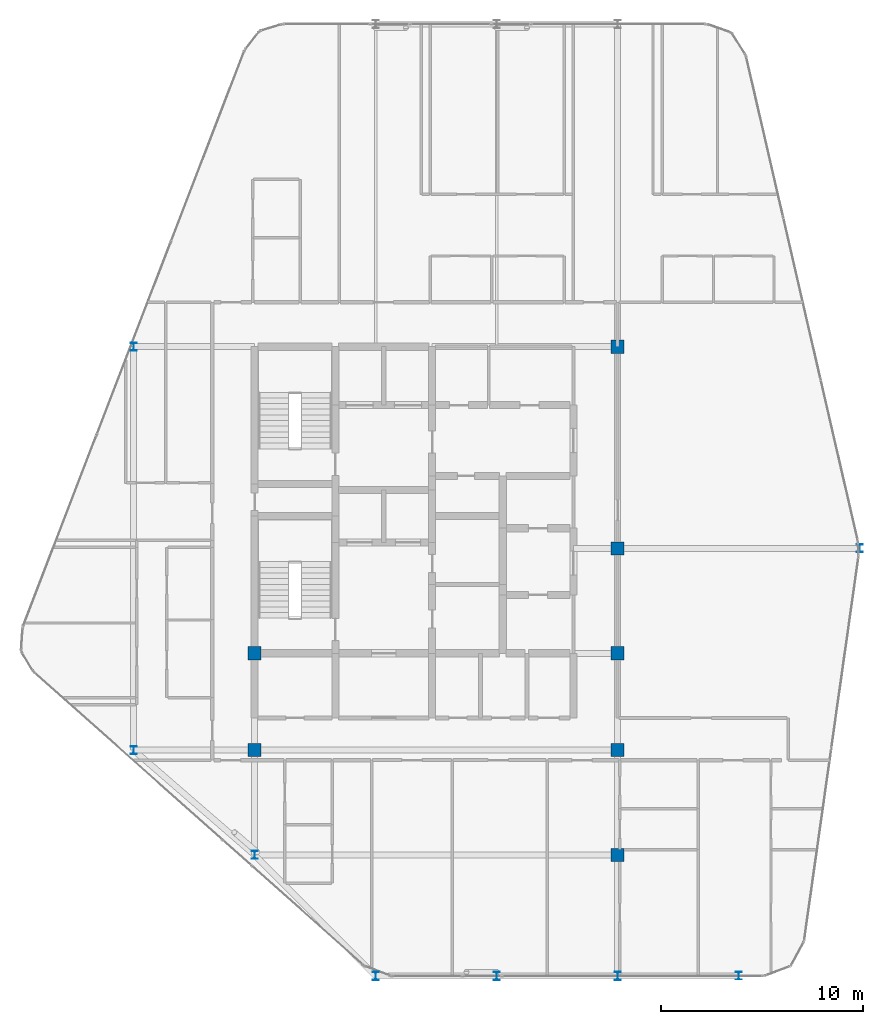
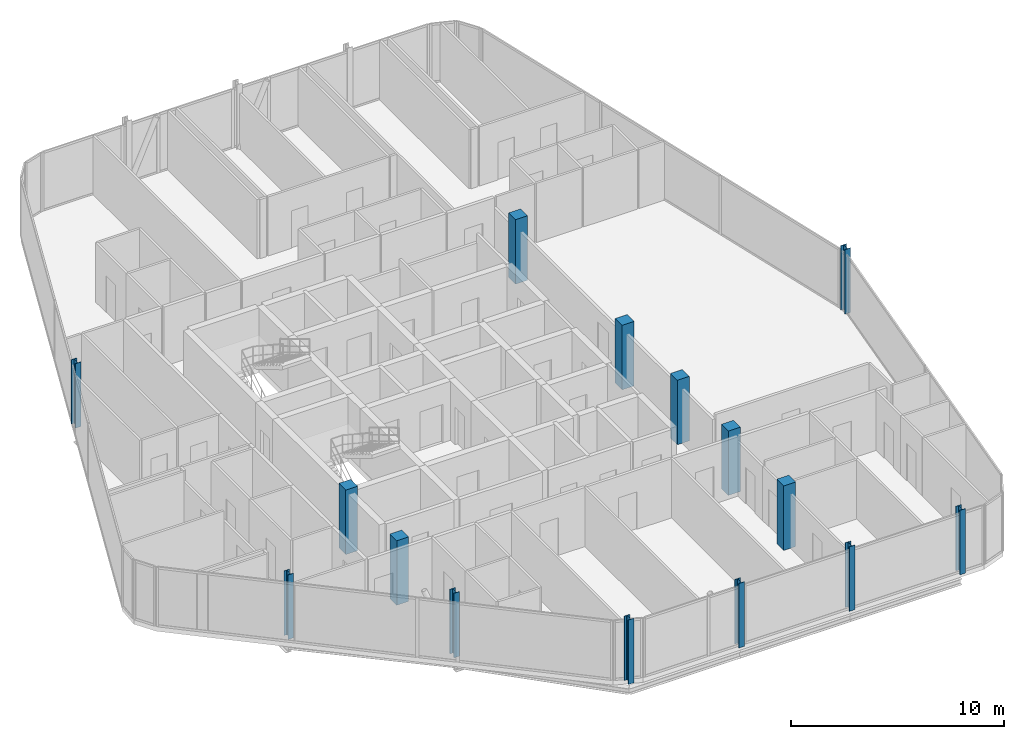
# One storey, part 1 of 27: 15 columns.
"""IFC4 building model written with IfcOpenShell, lengths in metres."""

from ifc_helpers import new_model, si_unit, direction, frame, origin, origin_2d, place, context, subcontext, project, spatial, rectangle, i_section, extrude, material, material_profile, profile_set, type_object, element, save


model = new_model("IFC4")

# Units and contexts
model_context = context("Model", 3, precision=1e-05, world=origin(), true_north=direction((0.0, 1.0)))
body_context = subcontext(model_context, "Body", "Model", "MODEL_VIEW")
ifc_project = project(units=[si_unit("LENGTHUNIT", "METRE"), si_unit("AREAUNIT", "SQUARE_METRE"), si_unit("VOLUMEUNIT", "CUBIC_METRE"), si_unit("PLANEANGLEUNIT", "RADIAN"), si_unit("MASSUNIT", "GRAM", prefix="KILO")], contexts=[model_context])

# Site, building, storey
site_placement = place(None, origin())
site = spatial("IfcSite", under=ifc_project, at=site_placement, CompositionType="ELEMENT")
building_placement = place(site_placement, origin())
building = spatial("IfcBuilding", under=site, at=building_placement, Name="Keshet Zoharim Tower", CompositionType="ELEMENT")
storey_placement = place(building_placement, frame((0.0, 0.0, 284.300048828125)))
storey = spatial("IfcBuildingStorey", under=building, at=storey_placement, Name="L71", CompositionType="ELEMENT", Elevation=284.300048828125)

# Columns
ifc_material_1 = material(Name="Steel S355", Category="steel")
ifc_material_profile_1 = material_profile(ifc_material_1, i_section(OverallWidth=0.300048828125, OverallDepth=0.39990234375, WebThickness=0.013427734375, FlangeThickness=0.02392578125, FilletRadius=0.027099609375, at=origin_2d()), Name="HEB400")
ifc_profile_set_1 = profile_set([ifc_material_profile_1], Name="Steel S355")
column_type_1 = type_object("IfcColumnType", Name="COL-HEB400", PredefinedType="COLUMN", material=ifc_profile_set_1)
for number, where, z_axis, x_axis, name in (
    (1, (9.0, 17.89990234375, 0.0), (0.0, 0.0, 1.0), (1.0, 0.0, 0.0), "L71 Column 2D"),
    (2, (9.0, 37.89990234375, 0.0), (0.0, 0.0, 1.0), (1.0, 0.0, 0.0), "L71 Column 2H"),
    (3, (15.0, 12.699951171875, 0.0), (0.0, 0.0, 1.0), (1.0, 0.0, 0.0), "L71 Column 3C"),
    (4, (21.0, 6.699951171875, 0.0), (0.0, 0.0, 1.0), (1.0, 0.0, 0.0), "L71 Column 4B"),
    (5, (27.0, 6.699951171875, 0.0), (0.0, 0.0, 1.0), (1.0, 0.0, 0.0), "L71 Column 5B"),
    (6, (33.0, 6.699951171875, 0.0), (0.0, 0.0, 1.0), (1.0, 0.0, 0.0), "L71 Column 6B"),
    (7, (39.0, 6.699951171875, 0.0), (0.0, 0.0, 1.0), (1.0, 0.0, 0.0), "L71 Column 7B"),
    (8, (45.0, 27.89990234375, 0.0), (0.0, 0.0, 1.0), (1.0, 0.0, 0.0), "L71 Column 8F"),
):
    element("IfcColumn", number, at=place(storey_placement, frame(where, z_axis=z_axis, x_axis=x_axis)), inside=storey, type_object=column_type_1, Name=name, PredefinedType="COLUMN", context=body_context, shape_type="SweptSolid", body=[
        extrude(i_section(OverallWidth=0.300048828125, OverallDepth=0.39990234375, WebThickness=0.013427734375, FlangeThickness=0.02392578125, FilletRadius=0.027099609375, at=origin_2d()), origin(), (0.0, 0.0, 1.0), 3.699951171875),
    ])
ifc_material_2 = material(Name="Concrete C50/60", Category="concrete")
ifc_material_profile_2 = material_profile(ifc_material_2, rectangle(XDim=0.64990234375, YDim=0.64990234375, at=origin_2d()), Name="RC650x650")
ifc_profile_set_2 = profile_set([ifc_material_profile_2], Name="Concrete C50/60")
column_type_2 = type_object("IfcColumnType", Name="COL-RC650", PredefinedType="COLUMN", material=ifc_profile_set_2)
for number, where, z_axis, x_axis, name in (
    (9, (15.0, 17.89990234375, 0.0), (0.0, 0.0, 1.0), (1.0, 0.0, 0.0), "L71 Column 3D"),
    (10, (15.0, 22.699951171875, 0.0), (0.0, 0.0, 1.0), (1.0, 0.0, 0.0), "L71 Column 3E"),
    (11, (33.0, 12.699951171875, 0.0), (0.0, 0.0, 1.0), (1.0, 0.0, 0.0), "L71 Column 6C"),
    (12, (33.0, 17.89990234375, 0.0), (0.0, 0.0, 1.0), (1.0, 0.0, 0.0), "L71 Column 6D"),
    (13, (33.0, 22.699951171875, 0.0), (0.0, 0.0, 1.0), (1.0, 0.0, 0.0), "L71 Column 6E"),
    (14, (33.0, 27.89990234375, 0.0), (0.0, 0.0, 1.0), (1.0, 0.0, 0.0), "L71 Column 6F"),
    (15, (33.0, 37.89990234375, 0.0), (0.0, 0.0, 1.0), (1.0, 0.0, 0.0), "L71 Column 6H"),
):
    element("IfcColumn", number, at=place(storey_placement, frame(where, z_axis=z_axis, x_axis=x_axis)), inside=storey, type_object=column_type_2, Name=name, PredefinedType="COLUMN", context=body_context, shape_type="SweptSolid", body=[
        extrude(rectangle(XDim=0.64990234375, YDim=0.64990234375, at=origin_2d()), origin(), (0.0, 0.0, 1.0), 3.699951171875),
    ])

save(model, "model.ifc")
